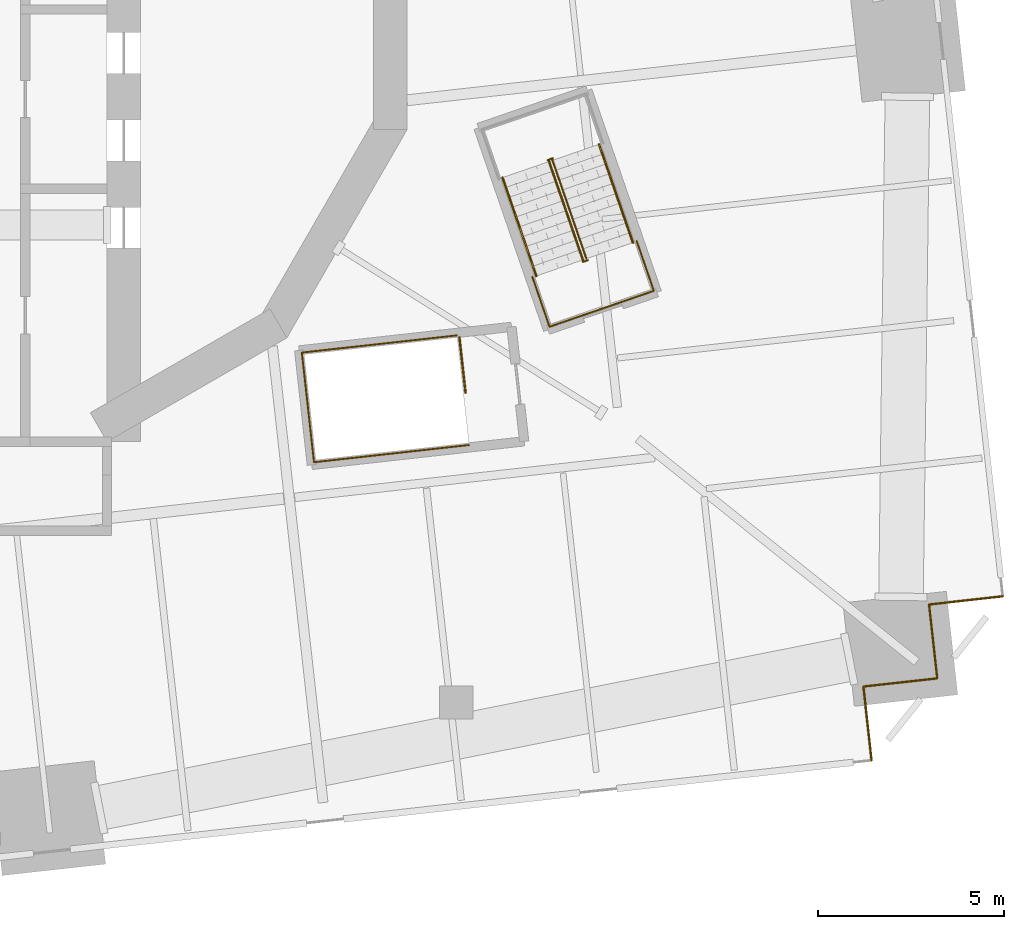
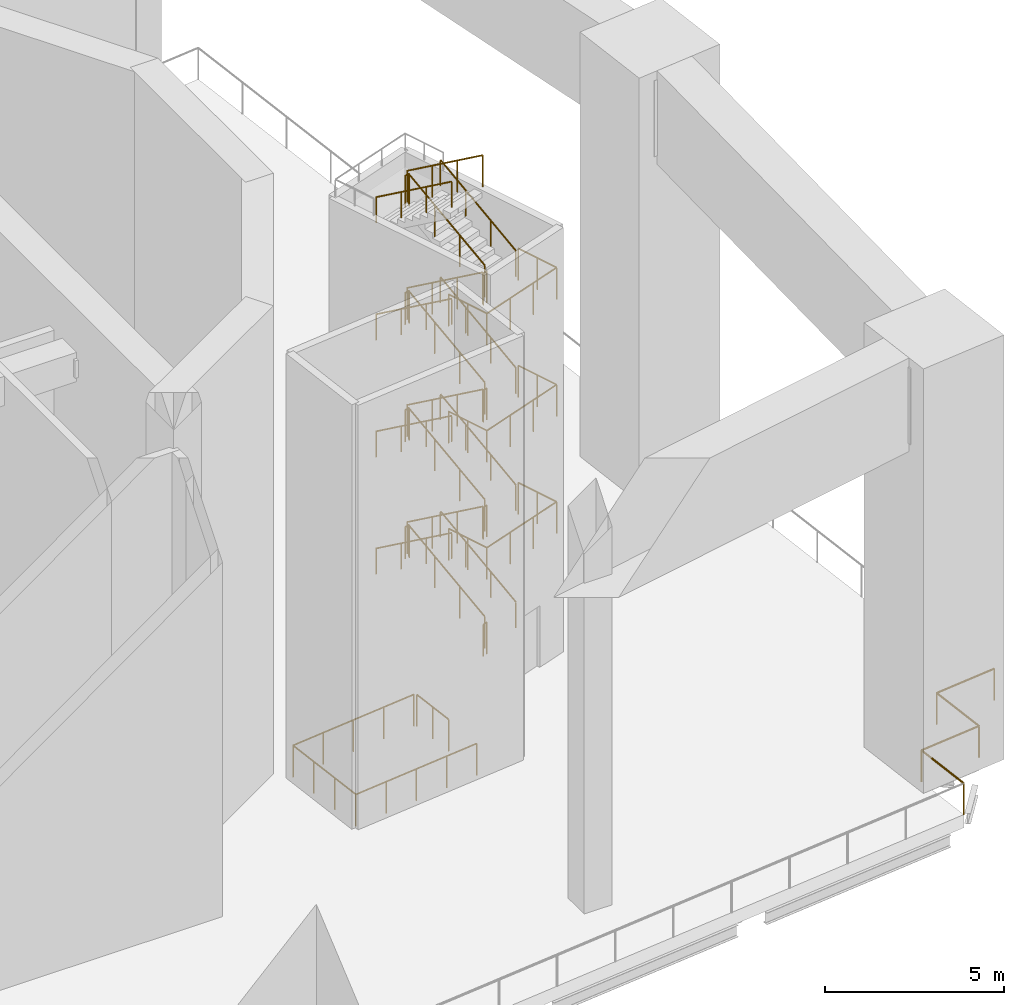
# One storey, part 11 of 13: 26 railings.
"""IFC4 building model written with IfcOpenShell, lengths in metres."""

from ifc_helpers import new_model, si_unit, direction, frame, origin, origin_2d, place, context, subcontext, project, spatial, circle, extrude, material, type_object, element, save


model = new_model("IFC4")

# Units and contexts
model_context = context("Model", 3, precision=1e-05, world=origin(), true_north=direction((0.0, 1.0)))
body_context = subcontext(model_context, "Body", "Model", "MODEL_VIEW")
ifc_project = project(units=[si_unit("LENGTHUNIT", "METRE"), si_unit("AREAUNIT", "SQUARE_METRE"), si_unit("VOLUMEUNIT", "CUBIC_METRE"), si_unit("PLANEANGLEUNIT", "RADIAN"), si_unit("MASSUNIT", "GRAM", prefix="KILO")], contexts=[model_context])

# Site, building, storey
site_placement = place(None, origin())
site = spatial("IfcSite", under=ifc_project, at=site_placement, CompositionType="ELEMENT")
building_placement = place(site_placement, origin())
building = spatial("IfcBuilding", under=site, at=building_placement, Name="Cantera Rosa Tower", CompositionType="ELEMENT")
storey_placement = place(building_placement, frame((0.0, 0.0, 84.300048828125)))
storey = spatial("IfcBuildingStorey", under=building, at=storey_placement, Name="L18", CompositionType="ELEMENT", Elevation=84.300048828125)

# Railings
ifc_material_1 = material(Name="Stainless steel and laminated glass", Category="steel")
railing_type_1 = type_object("IfcRailingType", Name="GUARD 1100", PredefinedType="BALUSTRADE", material=ifc_material_1)
railing_1_placement = place(storey_placement, frame((24.57958984375, -20.2119140625, 0.0)))
element("IfcRailing", 1, at=railing_1_placement, inside=storey, type_object=railing_type_1, Name="PORTAL GUARD L18-16", PredefinedType="BALUSTRADE", context=body_context, shape_type="SweptSolid", body=[
    extrude(circle(Radius=0.030029296875, at=origin_2d()), frame((0.0, 0.0, 1.070068359375), z_axis=(-0.110230552467, 0.993906044505, 0.0), x_axis=(-0.993906044505, -0.110230552467, 0.0)), (0.0, 0.0, 1.0), 2.0),
    extrude(circle(Radius=0.02490234375, at=origin_2d()), origin(), (0.0, 0.0, 1.0), 1.0400390625),
    extrude(circle(Radius=0.02490234375, at=origin_2d()), frame((-0.220458984375, 1.98779296875, 0.0)), (0.0, 0.0, 1.0), 1.0400390625),
])
railing_2_placement = place(storey_placement, frame((24.359130859375, -18.22412109375, 0.0)))
element("IfcRailing", 2, at=railing_2_placement, inside=storey, type_object=railing_type_1, Name="PORTAL GUARD L18-17", PredefinedType="BALUSTRADE", context=body_context, shape_type="SweptSolid", body=[
    extrude(circle(Radius=0.030029296875, at=origin_2d()), frame((0.0, 0.0, 1.070068359375), z_axis=(0.993892663362, 0.110351138256, 0.0), x_axis=(-0.110351138256, 0.993892663362, 0.0)), (0.0, 0.0, 1.0), 2.0),
    extrude(circle(Radius=0.02490234375, at=origin_2d()), origin(), (0.0, 0.0, 1.0), 1.0400390625),
    extrude(circle(Radius=0.02490234375, at=origin_2d()), frame((1.98779296875, 0.220703125, 0.0)), (0.0, 0.0, 1.0), 1.0400390625),
])
railing_3_placement = place(storey_placement, frame((26.346923828125, -18.00341796875, 0.0)))
element("IfcRailing", 3, at=railing_3_placement, inside=storey, type_object=railing_type_1, Name="PORTAL GUARD L18-18", PredefinedType="BALUSTRADE", context=body_context, shape_type="SweptSolid", body=[
    extrude(circle(Radius=0.030029296875, at=origin_2d()), frame((0.0, 0.0, 1.070068359375), z_axis=(-0.110351138256, 0.993892663362, 0.0), x_axis=(-0.993892663362, -0.110351138256, 0.0)), (0.0, 0.0, 1.0), 2.0),
    extrude(circle(Radius=0.02490234375, at=origin_2d()), origin(), (0.0, 0.0, 1.0), 1.0400390625),
    extrude(circle(Radius=0.02490234375, at=origin_2d()), frame((-0.220703125, 1.98779296875, 0.0)), (0.0, 0.0, 1.0), 1.0400390625),
])
railing_4_placement = place(storey_placement, frame((26.126220703125, -16.015625, 0.0)))
element("IfcRailing", 4, at=railing_4_placement, inside=storey, type_object=railing_type_1, Name="PORTAL GUARD L18-19", PredefinedType="BALUSTRADE", context=body_context, shape_type="SweptSolid", body=[
    extrude(circle(Radius=0.030029296875, at=origin_2d()), frame((0.0, 0.0, 1.070068359375), z_axis=(0.993906044505, 0.110230552467, 0.0), x_axis=(-0.110230552467, 0.993906044505, 0.0)), (0.0, 0.0, 1.0), 2.0),
    extrude(circle(Radius=0.02490234375, at=origin_2d()), origin(), (0.0, 0.0, 1.0), 1.0400390625),
    extrude(circle(Radius=0.02490234375, at=origin_2d()), frame((1.98779296875, 0.220458984375, 0.0)), (0.0, 0.0, 1.0), 1.0400390625),
])
ifc_material_2 = material(Name="Steel S355J2 (EN 10025-2)", Category="steel")
railing_type_2 = type_object("IfcRailingType", Name="STAIR GUARD 1100", PredefinedType="GUARDRAIL", material=ifc_material_2)
railing_5_placement = place(storey_placement, frame((13.48388671875, -8.82373046875, 0.0)))
element("IfcRailing", 5, at=railing_5_placement, inside=storey, type_object=railing_type_2, Name="L18 ST-14 top well guard 1", PredefinedType="GUARDRAIL", context=body_context, shape_type="SweptSolid", body=[
    extrude(circle(Radius=0.02392578125, at=origin_2d()), frame((0.0, 0.0, 1.076171875), z_axis=(0.110342213455, -0.993893654236, 0.0), x_axis=(0.993893654236, 0.110342213455, 0.0)), (0.0, 0.0, 1.0), 1.500244140625),
    extrude(circle(Radius=0.02099609375, at=origin_2d()), origin(), (0.0, 0.0, 1.0), 1.052001953125),
    extrude(circle(Radius=0.02099609375, at=origin_2d()), frame((0.082763671875, -0.74560546875, 0.0)), (0.0, 0.0, 1.0), 1.052001953125),
    extrude(circle(Radius=0.02099609375, at=origin_2d()), frame((0.16552734375, -1.490966796875, 0.0)), (0.0, 0.0, 1.0), 1.052001953125),
])
railing_6_placement = place(storey_placement, frame((13.415771484375, -8.77099609375, 0.0)))
element("IfcRailing", 6, at=railing_6_placement, inside=storey, type_object=railing_type_2, Name="L18 ST-14 top well guard 2", PredefinedType="GUARDRAIL", context=body_context, shape_type="SweptSolid", body=[
    extrude(circle(Radius=0.02392578125, at=origin_2d()), frame((0.0, 0.0, 1.076171875), z_axis=(-0.9938957856, -0.110323013767, 0.0), x_axis=(0.110323013767, -0.9938957856, 0.0)), (0.0, 0.0, 1.0), 4.197998046875),
    extrude(circle(Radius=0.02392578125, at=origin_2d()), frame((-4.17236328125, -0.463134765625, 1.076171875), z_axis=(0.110314237986, -0.993896759678, 0.0), x_axis=(0.993896759678, 0.110314237986, 0.0)), (0.0, 0.0, 1.0), 2.969970703125),
    extrude(circle(Radius=0.02392578125, at=origin_2d()), frame((-3.8447265625, -3.4150390625, 1.076171875), z_axis=(0.9938957856, 0.110323013767, 0.0), x_axis=(-0.110323013767, 0.9938957856, 0.0)), (0.0, 0.0, 1.0), 4.197998046875),
    extrude(circle(Radius=0.02099609375, at=origin_2d()), origin(), (0.0, 0.0, 1.0), 1.052001953125),
    extrude(circle(Radius=0.02099609375, at=origin_2d()), frame((-1.04296875, -0.11572265625, 0.0)), (0.0, 0.0, 1.0), 1.052001953125),
    extrude(circle(Radius=0.02099609375, at=origin_2d()), frame((-2.086181640625, -0.2314453125, 0.0)), (0.0, 0.0, 1.0), 1.052001953125),
    extrude(circle(Radius=0.02099609375, at=origin_2d()), frame((-3.12939453125, -0.347412109375, 0.0)), (0.0, 0.0, 1.0), 1.052001953125),
    extrude(circle(Radius=0.02099609375, at=origin_2d()), frame((-4.17236328125, -0.463134765625, 0.0)), (0.0, 0.0, 1.0), 1.052001953125),
    extrude(circle(Radius=0.02099609375, at=origin_2d()), frame((-4.063232421875, -1.447021484375, 0.0)), (0.0, 0.0, 1.0), 1.052001953125),
    extrude(circle(Radius=0.02099609375, at=origin_2d()), frame((-3.953857421875, -2.43115234375, 0.0)), (0.0, 0.0, 1.0), 1.052001953125),
    extrude(circle(Radius=0.02099609375, at=origin_2d()), frame((-3.8447265625, -3.4150390625, 0.0)), (0.0, 0.0, 1.0), 1.052001953125),
    extrude(circle(Radius=0.02099609375, at=origin_2d()), frame((-2.8017578125, -3.29931640625, 0.0)), (0.0, 0.0, 1.0), 1.052001953125),
    extrude(circle(Radius=0.02099609375, at=origin_2d()), frame((-1.758544921875, -3.18359375, 0.0)), (0.0, 0.0, 1.0), 1.052001953125),
    extrude(circle(Radius=0.02099609375, at=origin_2d()), frame((-0.71533203125, -3.067626953125, 0.0)), (0.0, 0.0, 1.0), 1.052001953125),
    extrude(circle(Radius=0.02099609375, at=origin_2d()), frame((0.32763671875, -2.951904296875, 0.0)), (0.0, 0.0, 1.0), 1.052001953125),
])
railing_7_placement = place(storey_placement, frame((16.902099609375, -6.707763671875, 0.181884765625)))
element("IfcRailing", 7, at=railing_7_placement, inside=storey, type_object=railing_type_2, Name="L18 ST-23 stair guard 1", PredefinedType="GUARDRAIL", context=body_context, shape_type="SweptSolid", body=[
    extrude(circle(Radius=0.02392578125, at=origin_2d()), frame((0.0, 0.0, 1.076171875), z_axis=(-0.273062306291, 0.793006869154, 0.544588911342), x_axis=(-0.945515586558, -0.325576835135, 0.0)), (0.0, 0.0, 1.0), 3.338623046875),
    extrude(circle(Radius=0.02392578125, at=origin_2d()), frame((-0.91162109375, 2.6474609375, 2.89404296875), z_axis=(0.147491890402, 0.989063265047, 0.0), x_axis=(-0.989063265047, 0.147491890402, 0.0)), (0.0, 0.0, 1.0), 0.056396484375),
    extrude(circle(Radius=0.02392578125, at=origin_2d()), frame((-0.9033203125, 2.703125, 2.89404296875), z_axis=(-0.945545797087, -0.325489086777, 0.0), x_axis=(0.325489086777, -0.945545797087, 0.0)), (0.0, 0.0, 1.0), 0.14990234375),
    extrude(circle(Radius=0.02099609375, at=origin_2d()), origin(), (0.0, 0.0, 1.0), 1.052001953125),
    extrude(circle(Radius=0.02099609375, at=origin_2d()), frame((-0.303955078125, 0.882568359375, 0.60595703125)), (0.0, 0.0, 1.0), 1.052001953125),
    extrude(circle(Radius=0.02099609375, at=origin_2d()), frame((-0.607666015625, 1.764892578125, 1.212158203125)), (0.0, 0.0, 1.0), 1.052001953125),
    extrude(circle(Radius=0.02099609375, at=origin_2d()), frame((-0.91162109375, 2.6474609375, 1.818115234375)), (0.0, 0.0, 1.0), 1.052001953125),
    extrude(circle(Radius=0.02099609375, at=origin_2d()), frame((-0.9033203125, 2.703125, 1.818115234375)), (0.0, 0.0, 1.0), 1.052001953125),
    extrude(circle(Radius=0.02099609375, at=origin_2d()), frame((-1.045166015625, 2.654296875, 1.818115234375)), (0.0, 0.0, 1.0), 1.052001953125),
])
railing_8_placement = place(storey_placement, frame((15.89794921875, -4.09228515625, 2.181884765625)))
element("IfcRailing", 8, at=railing_8_placement, inside=storey, type_object=railing_type_2, Name="L18 ST-23 stair guard 2", PredefinedType="GUARDRAIL", context=body_context, shape_type="SweptSolid", body=[
    extrude(circle(Radius=0.02392578125, at=origin_2d()), frame((0.0, 0.0, 1.076171875), z_axis=(0.273062306291, -0.793006869154, 0.544588911342), x_axis=(0.945515586558, 0.325576835135, 0.0)), (0.0, 0.0, 1.0), 3.338623046875),
    extrude(circle(Radius=0.02392578125, at=origin_2d()), frame((0.91162109375, -2.6474609375, 2.89404296875), z_axis=(-0.147491890402, -0.989063265047, 0.0), x_axis=(0.989063265047, -0.147491890402, 0.0)), (0.0, 0.0, 1.0), 0.056396484375),
    extrude(circle(Radius=0.02392578125, at=origin_2d()), frame((0.9033203125, -2.703125, 2.89404296875), z_axis=(0.945372981626, 0.325990683319, 0.0), x_axis=(-0.325990683319, 0.945372981626, 0.0)), (0.0, 0.0, 1.0), 0.14990234375),
    extrude(circle(Radius=0.02099609375, at=origin_2d()), origin(), (0.0, 0.0, 1.0), 1.052001953125),
    extrude(circle(Radius=0.02099609375, at=origin_2d()), frame((0.303955078125, -0.882568359375, 0.60595703125)), (0.0, 0.0, 1.0), 1.052001953125),
    extrude(circle(Radius=0.02099609375, at=origin_2d()), frame((0.607666015625, -1.764892578125, 1.212158203125)), (0.0, 0.0, 1.0), 1.052001953125),
    extrude(circle(Radius=0.02099609375, at=origin_2d()), frame((0.91162109375, -2.6474609375, 1.818115234375)), (0.0, 0.0, 1.0), 1.052001953125),
    extrude(circle(Radius=0.02099609375, at=origin_2d()), frame((0.9033203125, -2.703125, 1.818115234375)), (0.0, 0.0, 1.0), 1.052001953125),
    extrude(circle(Radius=0.02099609375, at=origin_2d()), frame((1.044921875, -2.654296875, 1.818115234375)), (0.0, 0.0, 1.0), 1.052001953125),
])
railing_9_placement = place(storey_placement, frame((16.902099609375, -6.707763671875, 4.181884765625)))
element("IfcRailing", 9, at=railing_9_placement, inside=storey, type_object=railing_type_2, Name="L18 ST-23 stair guard 3", PredefinedType="GUARDRAIL", context=body_context, shape_type="SweptSolid", body=[
    extrude(circle(Radius=0.02392578125, at=origin_2d()), frame((0.0, 0.0, 1.076171875), z_axis=(-0.273062306291, 0.793006869154, 0.544588911342), x_axis=(-0.945515586558, -0.325576835135, 0.0)), (0.0, 0.0, 1.0), 3.338623046875),
    extrude(circle(Radius=0.02392578125, at=origin_2d()), frame((-0.91162109375, 2.6474609375, 2.89404296875), z_axis=(0.147491890402, 0.989063265047, 0.0), x_axis=(-0.989063265047, 0.147491890402, 0.0)), (0.0, 0.0, 1.0), 0.056396484375),
    extrude(circle(Radius=0.02392578125, at=origin_2d()), frame((-0.9033203125, 2.703125, 2.89404296875), z_axis=(-0.945545797087, -0.325489086777, 0.0), x_axis=(0.325489086777, -0.945545797087, 0.0)), (0.0, 0.0, 1.0), 0.14990234375),
    extrude(circle(Radius=0.02099609375, at=origin_2d()), origin(), (0.0, 0.0, 1.0), 1.052001953125),
    extrude(circle(Radius=0.02099609375, at=origin_2d()), frame((-0.303955078125, 0.882568359375, 0.60595703125)), (0.0, 0.0, 1.0), 1.052001953125),
    extrude(circle(Radius=0.02099609375, at=origin_2d()), frame((-0.607666015625, 1.764892578125, 1.212158203125)), (0.0, 0.0, 1.0), 1.052001953125),
    extrude(circle(Radius=0.02099609375, at=origin_2d()), frame((-0.91162109375, 2.6474609375, 1.818115234375)), (0.0, 0.0, 1.0), 1.052001953125),
    extrude(circle(Radius=0.02099609375, at=origin_2d()), frame((-0.9033203125, 2.703125, 1.818115234375)), (0.0, 0.0, 1.0), 1.052001953125),
    extrude(circle(Radius=0.02099609375, at=origin_2d()), frame((-1.045166015625, 2.654296875, 1.818115234375)), (0.0, 0.0, 1.0), 1.052001953125),
])
railing_10_placement = place(storey_placement, frame((15.89794921875, -4.09228515625, 6.181884765625)))
element("IfcRailing", 10, at=railing_10_placement, inside=storey, type_object=railing_type_2, Name="L18 ST-23 stair guard 4", PredefinedType="GUARDRAIL", context=body_context, shape_type="SweptSolid", body=[
    extrude(circle(Radius=0.02392578125, at=origin_2d()), frame((0.0, 0.0, 1.076171875), z_axis=(0.273062306291, -0.793006869154, 0.544588911342), x_axis=(0.945515586558, 0.325576835135, 0.0)), (0.0, 0.0, 1.0), 3.338623046875),
    extrude(circle(Radius=0.02392578125, at=origin_2d()), frame((0.91162109375, -2.6474609375, 2.89404296875), z_axis=(-0.147491890402, -0.989063265047, 0.0), x_axis=(0.989063265047, -0.147491890402, 0.0)), (0.0, 0.0, 1.0), 0.056396484375),
    extrude(circle(Radius=0.02392578125, at=origin_2d()), frame((0.9033203125, -2.703125, 2.89404296875), z_axis=(0.945372981626, 0.325990683319, 0.0), x_axis=(-0.325990683319, 0.945372981626, 0.0)), (0.0, 0.0, 1.0), 0.14990234375),
    extrude(circle(Radius=0.02099609375, at=origin_2d()), origin(), (0.0, 0.0, 1.0), 1.052001953125),
    extrude(circle(Radius=0.02099609375, at=origin_2d()), frame((0.303955078125, -0.882568359375, 0.60595703125)), (0.0, 0.0, 1.0), 1.052001953125),
    extrude(circle(Radius=0.02099609375, at=origin_2d()), frame((0.607666015625, -1.764892578125, 1.212158203125)), (0.0, 0.0, 1.0), 1.052001953125),
    extrude(circle(Radius=0.02099609375, at=origin_2d()), frame((0.91162109375, -2.6474609375, 1.818115234375)), (0.0, 0.0, 1.0), 1.052001953125),
    extrude(circle(Radius=0.02099609375, at=origin_2d()), frame((0.9033203125, -2.703125, 1.818115234375)), (0.0, 0.0, 1.0), 1.052001953125),
    extrude(circle(Radius=0.02099609375, at=origin_2d()), frame((1.044921875, -2.654296875, 1.818115234375)), (0.0, 0.0, 1.0), 1.052001953125),
])
railing_11_placement = place(storey_placement, frame((16.902099609375, -6.707763671875, 8.181884765625)))
element("IfcRailing", 11, at=railing_11_placement, inside=storey, type_object=railing_type_2, Name="L18 ST-23 stair guard 5", PredefinedType="GUARDRAIL", context=body_context, shape_type="SweptSolid", body=[
    extrude(circle(Radius=0.02392578125, at=origin_2d()), frame((0.0, 0.0, 1.076171875), z_axis=(-0.273062306291, 0.793006869154, 0.544588911342), x_axis=(-0.945515586558, -0.325576835135, 0.0)), (0.0, 0.0, 1.0), 3.338623046875),
    extrude(circle(Radius=0.02392578125, at=origin_2d()), frame((-0.91162109375, 2.6474609375, 2.89404296875), z_axis=(0.147491890402, 0.989063265047, 0.0), x_axis=(-0.989063265047, 0.147491890402, 0.0)), (0.0, 0.0, 1.0), 0.056396484375),
    extrude(circle(Radius=0.02392578125, at=origin_2d()), frame((-0.9033203125, 2.703125, 2.89404296875), z_axis=(-0.945545797087, -0.325489086777, 0.0), x_axis=(0.325489086777, -0.945545797087, 0.0)), (0.0, 0.0, 1.0), 0.14990234375),
    extrude(circle(Radius=0.02099609375, at=origin_2d()), origin(), (0.0, 0.0, 1.0), 1.052001953125),
    extrude(circle(Radius=0.02099609375, at=origin_2d()), frame((-0.303955078125, 0.882568359375, 0.60595703125)), (0.0, 0.0, 1.0), 1.052001953125),
    extrude(circle(Radius=0.02099609375, at=origin_2d()), frame((-0.607666015625, 1.764892578125, 1.212158203125)), (0.0, 0.0, 1.0), 1.052001953125),
    extrude(circle(Radius=0.02099609375, at=origin_2d()), frame((-0.91162109375, 2.6474609375, 1.818115234375)), (0.0, 0.0, 1.0), 1.052001953125),
    extrude(circle(Radius=0.02099609375, at=origin_2d()), frame((-0.9033203125, 2.703125, 1.818115234375)), (0.0, 0.0, 1.0), 1.052001953125),
    extrude(circle(Radius=0.02099609375, at=origin_2d()), frame((-1.045166015625, 2.654296875, 1.818115234375)), (0.0, 0.0, 1.0), 1.052001953125),
])
railing_12_placement = place(storey_placement, frame((15.89794921875, -4.09228515625, 10.181884765625)))
element("IfcRailing", 12, at=railing_12_placement, inside=storey, type_object=railing_type_2, Name="L18 ST-23 stair guard 6", PredefinedType="GUARDRAIL", context=body_context, shape_type="SweptSolid", body=[
    extrude(circle(Radius=0.02392578125, at=origin_2d()), frame((0.0, 0.0, 1.076171875), z_axis=(0.273062306291, -0.793006869154, 0.544588911342), x_axis=(0.945515586558, 0.325576835135, 0.0)), (0.0, 0.0, 1.0), 3.338623046875),
    extrude(circle(Radius=0.02392578125, at=origin_2d()), frame((0.91162109375, -2.6474609375, 2.89404296875), z_axis=(-0.147491890402, -0.989063265047, 0.0), x_axis=(0.989063265047, -0.147491890402, 0.0)), (0.0, 0.0, 1.0), 0.056396484375),
    extrude(circle(Radius=0.02392578125, at=origin_2d()), frame((0.9033203125, -2.703125, 2.89404296875), z_axis=(0.945372981626, 0.325990683319, 0.0), x_axis=(-0.325990683319, 0.945372981626, 0.0)), (0.0, 0.0, 1.0), 0.14990234375),
    extrude(circle(Radius=0.02099609375, at=origin_2d()), origin(), (0.0, 0.0, 1.0), 1.052001953125),
    extrude(circle(Radius=0.02099609375, at=origin_2d()), frame((0.303955078125, -0.882568359375, 0.60595703125)), (0.0, 0.0, 1.0), 1.052001953125),
    extrude(circle(Radius=0.02099609375, at=origin_2d()), frame((0.607666015625, -1.764892578125, 1.212158203125)), (0.0, 0.0, 1.0), 1.052001953125),
    extrude(circle(Radius=0.02099609375, at=origin_2d()), frame((0.91162109375, -2.6474609375, 1.818115234375)), (0.0, 0.0, 1.0), 1.052001953125),
    extrude(circle(Radius=0.02099609375, at=origin_2d()), frame((0.9033203125, -2.703125, 1.818115234375)), (0.0, 0.0, 1.0), 1.052001953125),
    extrude(circle(Radius=0.02099609375, at=origin_2d()), frame((1.044921875, -2.654296875, 1.818115234375)), (0.0, 0.0, 1.0), 1.052001953125),
])
railing_13_placement = place(storey_placement, frame((16.902099609375, -6.707763671875, 12.181884765625)))
element("IfcRailing", 13, at=railing_13_placement, inside=storey, type_object=railing_type_2, Name="L18 ST-23 stair guard 7", PredefinedType="GUARDRAIL", context=body_context, shape_type="SweptSolid", body=[
    extrude(circle(Radius=0.02392578125, at=origin_2d()), frame((0.0, 0.0, 1.076171875), z_axis=(-0.273062306291, 0.793006869154, 0.544588911342), x_axis=(-0.945515586558, -0.325576835135, 0.0)), (0.0, 0.0, 1.0), 3.338623046875),
    extrude(circle(Radius=0.02392578125, at=origin_2d()), frame((-0.91162109375, 2.6474609375, 2.89404296875), z_axis=(0.147491890402, 0.989063265047, 0.0), x_axis=(-0.989063265047, 0.147491890402, 0.0)), (0.0, 0.0, 1.0), 0.056396484375),
    extrude(circle(Radius=0.02392578125, at=origin_2d()), frame((-0.9033203125, 2.703125, 2.89404296875), z_axis=(-0.945545797087, -0.325489086777, 0.0), x_axis=(0.325489086777, -0.945545797087, 0.0)), (0.0, 0.0, 1.0), 0.14990234375),
    extrude(circle(Radius=0.02099609375, at=origin_2d()), origin(), (0.0, 0.0, 1.0), 1.052001953125),
    extrude(circle(Radius=0.02099609375, at=origin_2d()), frame((-0.303955078125, 0.882568359375, 0.60595703125)), (0.0, 0.0, 1.0), 1.052001953125),
    extrude(circle(Radius=0.02099609375, at=origin_2d()), frame((-0.607666015625, 1.764892578125, 1.212158203125)), (0.0, 0.0, 1.0), 1.052001953125),
    extrude(circle(Radius=0.02099609375, at=origin_2d()), frame((-0.91162109375, 2.6474609375, 1.818115234375)), (0.0, 0.0, 1.0), 1.052001953125),
    extrude(circle(Radius=0.02099609375, at=origin_2d()), frame((-0.9033203125, 2.703125, 1.818115234375)), (0.0, 0.0, 1.0), 1.052001953125),
    extrude(circle(Radius=0.02099609375, at=origin_2d()), frame((-1.045166015625, 2.654296875, 1.818115234375)), (0.0, 0.0, 1.0), 1.052001953125),
])
railing_14_placement = place(storey_placement, frame((15.89794921875, -4.09228515625, 14.181884765625)))
element("IfcRailing", 14, at=railing_14_placement, inside=storey, type_object=railing_type_2, Name="L18 ST-23 stair guard 8", PredefinedType="GUARDRAIL", context=body_context, shape_type="SweptSolid", body=[
    extrude(circle(Radius=0.02392578125, at=origin_2d()), frame((0.0, 0.0, 1.076171875), z_axis=(0.273062306291, -0.793006869154, 0.544588911342), x_axis=(0.945515586558, 0.325576835135, 0.0)), (0.0, 0.0, 1.0), 3.338623046875),
    extrude(circle(Radius=0.02099609375, at=origin_2d()), origin(), (0.0, 0.0, 1.0), 1.052001953125),
    extrude(circle(Radius=0.02099609375, at=origin_2d()), frame((0.303955078125, -0.882568359375, 0.60595703125)), (0.0, 0.0, 1.0), 1.052001953125),
    extrude(circle(Radius=0.02099609375, at=origin_2d()), frame((0.607666015625, -1.764892578125, 1.212158203125)), (0.0, 0.0, 1.0), 1.052001953125),
    extrude(circle(Radius=0.02099609375, at=origin_2d()), frame((0.91162109375, -2.6474609375, 1.818115234375)), (0.0, 0.0, 1.0), 1.052001953125),
])
railing_15_placement = place(storey_placement, frame((16.94287109375, -6.74658203125, 0.0)))
element("IfcRailing", 15, at=railing_15_placement, inside=storey, type_object=railing_type_2, Name="L18 ST-23 stair guard 9", PredefinedType="GUARDRAIL", context=body_context, shape_type="SweptSolid", body=[
    extrude(circle(Radius=0.02392578125, at=origin_2d()), frame((0.0, 0.0, 1.076171875), z_axis=(-0.945372981626, -0.325990683319, 0.0), x_axis=(0.325990683319, -0.945372981626, 0.0)), (0.0, 0.0, 1.0), 0.14990234375),
    extrude(circle(Radius=0.02099609375, at=origin_2d()), origin(), (0.0, 0.0, 1.0), 1.052001953125),
    extrude(circle(Radius=0.02099609375, at=origin_2d()), frame((-0.1416015625, -0.048828125, 0.0)), (0.0, 0.0, 1.0), 1.052001953125),
])
for number, where, name in (
    (16, (18.256103515625, -6.22900390625, 4.0), "L18 ST-23 stair guard 11"),
    (17, (18.256103515625, -6.22900390625, 8.0), "L18 ST-23 stair guard 13"),
    (18, (18.256103515625, -6.22900390625, 12.0), "L18 ST-23 stair guard 15"),
):
    element("IfcRailing", number, at=place(storey_placement, frame(where)), inside=storey, type_object=railing_type_2, Name=name, PredefinedType="GUARDRAIL", context=body_context, shape_type="SweptSolid", body=[
        extrude(circle(Radius=0.02392578125, at=origin_2d()), frame((0.0, 0.0, 1.076171875), z_axis=(0.325535587332, -0.945529788732, 0.0), x_axis=(0.945529788732, 0.325535587332, 0.0)), (0.0, 0.0, 1.0), 1.421875),
        extrude(circle(Radius=0.02392578125, at=origin_2d()), frame((0.462890625, -1.344482421875, 1.076171875), z_axis=(-0.945538830107, -0.325509325152, 0.0), x_axis=(0.325509325152, -0.945538830107, 0.0)), (0.0, 0.0, 1.0), 2.97021484375),
        extrude(circle(Radius=0.02392578125, at=origin_2d()), frame((-2.345458984375, -2.311279296875, 1.076171875), z_axis=(-0.325535587332, 0.945529788732, 0.0), x_axis=(-0.945529788732, -0.325535587332, 0.0)), (0.0, 0.0, 1.0), 1.421875),
        extrude(circle(Radius=0.02099609375, at=origin_2d()), origin(), (0.0, 0.0, 1.0), 1.052001953125),
        extrude(circle(Radius=0.02099609375, at=origin_2d()), frame((0.2314453125, -0.67236328125, 0.0)), (0.0, 0.0, 1.0), 1.052001953125),
        extrude(circle(Radius=0.02099609375, at=origin_2d()), frame((0.462890625, -1.344482421875, 0.0)), (0.0, 0.0, 1.0), 1.052001953125),
        extrude(circle(Radius=0.02099609375, at=origin_2d()), frame((-0.47314453125, -1.666748046875, 0.0)), (0.0, 0.0, 1.0), 1.052001953125),
        extrude(circle(Radius=0.02099609375, at=origin_2d()), frame((-1.409423828125, -1.989013671875, 0.0)), (0.0, 0.0, 1.0), 1.052001953125),
        extrude(circle(Radius=0.02099609375, at=origin_2d()), frame((-2.345458984375, -2.311279296875, 0.0)), (0.0, 0.0, 1.0), 1.052001953125),
        extrude(circle(Radius=0.02099609375, at=origin_2d()), frame((-2.576904296875, -1.63916015625, 0.0)), (0.0, 0.0, 1.0), 1.052001953125),
        extrude(circle(Radius=0.02099609375, at=origin_2d()), frame((-2.808349609375, -0.966796875, 0.0)), (0.0, 0.0, 1.0), 1.052001953125),
    ])
ifc_material_3 = material(Name="Steel S355J2 (EN 10025-2)", Category="steel")
railing_type_3 = type_object("IfcRailingType", Name="STAIR HANDRAIL 900", PredefinedType="HANDRAIL", material=ifc_material_3)
railing_16_placement = place(storey_placement, frame((18.15576171875, -6.276123046875, 0.181884765625)))
element("IfcRailing", 19, at=railing_16_placement, inside=storey, type_object=railing_type_3, Name="L18 ST-23 stair handrail 1", PredefinedType="HANDRAIL", context=body_context, shape_type="SweptSolid", body=[
    extrude(circle(Radius=0.02392578125, at=origin_2d()), frame((0.0, 0.0, 0.8759765625), z_axis=(-0.272994628326, 0.793022702803, 0.544599784929), x_axis=(-0.945542425272, -0.325498881735, 0.0)), (0.0, 0.0, 1.0), 3.33837890625),
    extrude(circle(Radius=0.02099609375, at=origin_2d()), origin(), (0.0, 0.0, 1.0), 0.851806640625),
    extrude(circle(Radius=0.02099609375, at=origin_2d()), frame((-0.3037109375, 0.882568359375, 0.60595703125)), (0.0, 0.0, 1.0), 0.851806640625),
    extrude(circle(Radius=0.02099609375, at=origin_2d()), frame((-0.607666015625, 1.764892578125, 1.212158203125)), (0.0, 0.0, 1.0), 0.851806640625),
    extrude(circle(Radius=0.02099609375, at=origin_2d()), frame((-0.911376953125, 2.6474609375, 1.818115234375)), (0.0, 0.0, 1.0), 0.851806640625),
])
railing_17_placement = place(storey_placement, frame((14.64404296875, -4.52392578125, 2.181884765625)))
element("IfcRailing", 20, at=railing_17_placement, inside=storey, type_object=railing_type_3, Name="L18 ST-23 stair handrail 2", PredefinedType="HANDRAIL", context=body_context, shape_type="SweptSolid", body=[
    extrude(circle(Radius=0.02392578125, at=origin_2d()), frame((0.0, 0.0, 0.8759765625), z_axis=(0.273062306291, -0.793006869154, 0.544588911342), x_axis=(0.945515586558, 0.325576835135, 0.0)), (0.0, 0.0, 1.0), 3.338623046875),
    extrude(circle(Radius=0.02099609375, at=origin_2d()), origin(), (0.0, 0.0, 1.0), 0.851806640625),
    extrude(circle(Radius=0.02099609375, at=origin_2d()), frame((0.303955078125, -0.882568359375, 0.60595703125)), (0.0, 0.0, 1.0), 0.851806640625),
    extrude(circle(Radius=0.02099609375, at=origin_2d()), frame((0.607666015625, -1.764892578125, 1.212158203125)), (0.0, 0.0, 1.0), 0.851806640625),
    extrude(circle(Radius=0.02099609375, at=origin_2d()), frame((0.91162109375, -2.6474609375, 1.818115234375)), (0.0, 0.0, 1.0), 0.851806640625),
])
railing_18_placement = place(storey_placement, frame((18.15576171875, -6.276123046875, 4.181884765625)))
element("IfcRailing", 21, at=railing_18_placement, inside=storey, type_object=railing_type_3, Name="L18 ST-23 stair handrail 3", PredefinedType="HANDRAIL", context=body_context, shape_type="SweptSolid", body=[
    extrude(circle(Radius=0.02392578125, at=origin_2d()), frame((0.0, 0.0, 0.8759765625), z_axis=(-0.272994628326, 0.793022702803, 0.544599784929), x_axis=(-0.945542425272, -0.325498881735, 0.0)), (0.0, 0.0, 1.0), 3.33837890625),
    extrude(circle(Radius=0.02099609375, at=origin_2d()), origin(), (0.0, 0.0, 1.0), 0.851806640625),
    extrude(circle(Radius=0.02099609375, at=origin_2d()), frame((-0.3037109375, 0.882568359375, 0.60595703125)), (0.0, 0.0, 1.0), 0.851806640625),
    extrude(circle(Radius=0.02099609375, at=origin_2d()), frame((-0.607666015625, 1.764892578125, 1.212158203125)), (0.0, 0.0, 1.0), 0.851806640625),
    extrude(circle(Radius=0.02099609375, at=origin_2d()), frame((-0.911376953125, 2.6474609375, 1.818115234375)), (0.0, 0.0, 1.0), 0.851806640625),
])
railing_19_placement = place(storey_placement, frame((14.64404296875, -4.52392578125, 6.181884765625)))
element("IfcRailing", 22, at=railing_19_placement, inside=storey, type_object=railing_type_3, Name="L18 ST-23 stair handrail 4", PredefinedType="HANDRAIL", context=body_context, shape_type="SweptSolid", body=[
    extrude(circle(Radius=0.02392578125, at=origin_2d()), frame((0.0, 0.0, 0.8759765625), z_axis=(0.273062306291, -0.793006869154, 0.544588911342), x_axis=(0.945515586558, 0.325576835135, 0.0)), (0.0, 0.0, 1.0), 3.338623046875),
    extrude(circle(Radius=0.02099609375, at=origin_2d()), origin(), (0.0, 0.0, 1.0), 0.851806640625),
    extrude(circle(Radius=0.02099609375, at=origin_2d()), frame((0.303955078125, -0.882568359375, 0.60595703125)), (0.0, 0.0, 1.0), 0.851806640625),
    extrude(circle(Radius=0.02099609375, at=origin_2d()), frame((0.607666015625, -1.764892578125, 1.212158203125)), (0.0, 0.0, 1.0), 0.851806640625),
    extrude(circle(Radius=0.02099609375, at=origin_2d()), frame((0.91162109375, -2.6474609375, 1.818115234375)), (0.0, 0.0, 1.0), 0.851806640625),
])
railing_20_placement = place(storey_placement, frame((18.15576171875, -6.276123046875, 8.181884765625)))
element("IfcRailing", 23, at=railing_20_placement, inside=storey, type_object=railing_type_3, Name="L18 ST-23 stair handrail 5", PredefinedType="HANDRAIL", context=body_context, shape_type="SweptSolid", body=[
    extrude(circle(Radius=0.02392578125, at=origin_2d()), frame((0.0, 0.0, 0.8759765625), z_axis=(-0.272994628326, 0.793022702803, 0.544599784929), x_axis=(-0.945542425272, -0.325498881735, 0.0)), (0.0, 0.0, 1.0), 3.33837890625),
    extrude(circle(Radius=0.02099609375, at=origin_2d()), origin(), (0.0, 0.0, 1.0), 0.851806640625),
    extrude(circle(Radius=0.02099609375, at=origin_2d()), frame((-0.3037109375, 0.882568359375, 0.60595703125)), (0.0, 0.0, 1.0), 0.851806640625),
    extrude(circle(Radius=0.02099609375, at=origin_2d()), frame((-0.607666015625, 1.764892578125, 1.212158203125)), (0.0, 0.0, 1.0), 0.851806640625),
    extrude(circle(Radius=0.02099609375, at=origin_2d()), frame((-0.911376953125, 2.6474609375, 1.818115234375)), (0.0, 0.0, 1.0), 0.851806640625),
])
railing_21_placement = place(storey_placement, frame((14.64404296875, -4.52392578125, 10.181884765625)))
element("IfcRailing", 24, at=railing_21_placement, inside=storey, type_object=railing_type_3, Name="L18 ST-23 stair handrail 6", PredefinedType="HANDRAIL", context=body_context, shape_type="SweptSolid", body=[
    extrude(circle(Radius=0.02392578125, at=origin_2d()), frame((0.0, 0.0, 0.8759765625), z_axis=(0.273062306291, -0.793006869154, 0.544588911342), x_axis=(0.945515586558, 0.325576835135, 0.0)), (0.0, 0.0, 1.0), 3.338623046875),
    extrude(circle(Radius=0.02099609375, at=origin_2d()), origin(), (0.0, 0.0, 1.0), 0.851806640625),
    extrude(circle(Radius=0.02099609375, at=origin_2d()), frame((0.303955078125, -0.882568359375, 0.60595703125)), (0.0, 0.0, 1.0), 0.851806640625),
    extrude(circle(Radius=0.02099609375, at=origin_2d()), frame((0.607666015625, -1.764892578125, 1.212158203125)), (0.0, 0.0, 1.0), 0.851806640625),
    extrude(circle(Radius=0.02099609375, at=origin_2d()), frame((0.91162109375, -2.6474609375, 1.818115234375)), (0.0, 0.0, 1.0), 0.851806640625),
])
railing_22_placement = place(storey_placement, frame((18.15576171875, -6.276123046875, 12.181884765625)))
element("IfcRailing", 25, at=railing_22_placement, inside=storey, type_object=railing_type_3, Name="L18 ST-23 stair handrail 7", PredefinedType="HANDRAIL", context=body_context, shape_type="SweptSolid", body=[
    extrude(circle(Radius=0.02392578125, at=origin_2d()), frame((0.0, 0.0, 0.8759765625), z_axis=(-0.272994628326, 0.793022702803, 0.544599784929), x_axis=(-0.945542425272, -0.325498881735, 0.0)), (0.0, 0.0, 1.0), 3.33837890625),
    extrude(circle(Radius=0.02099609375, at=origin_2d()), origin(), (0.0, 0.0, 1.0), 0.851806640625),
    extrude(circle(Radius=0.02099609375, at=origin_2d()), frame((-0.3037109375, 0.882568359375, 0.60595703125)), (0.0, 0.0, 1.0), 0.851806640625),
    extrude(circle(Radius=0.02099609375, at=origin_2d()), frame((-0.607666015625, 1.764892578125, 1.212158203125)), (0.0, 0.0, 1.0), 0.851806640625),
    extrude(circle(Radius=0.02099609375, at=origin_2d()), frame((-0.911376953125, 2.6474609375, 1.818115234375)), (0.0, 0.0, 1.0), 0.851806640625),
])
railing_23_placement = place(storey_placement, frame((14.64404296875, -4.52392578125, 14.181884765625)))
element("IfcRailing", 26, at=railing_23_placement, inside=storey, type_object=railing_type_3, Name="L18 ST-23 stair handrail 8", PredefinedType="HANDRAIL", context=body_context, shape_type="SweptSolid", body=[
    extrude(circle(Radius=0.02392578125, at=origin_2d()), frame((0.0, 0.0, 0.8759765625), z_axis=(0.273062306291, -0.793006869154, 0.544588911342), x_axis=(0.945515586558, 0.325576835135, 0.0)), (0.0, 0.0, 1.0), 3.338623046875),
    extrude(circle(Radius=0.02099609375, at=origin_2d()), origin(), (0.0, 0.0, 1.0), 0.851806640625),
    extrude(circle(Radius=0.02099609375, at=origin_2d()), frame((0.303955078125, -0.882568359375, 0.60595703125)), (0.0, 0.0, 1.0), 0.851806640625),
    extrude(circle(Radius=0.02099609375, at=origin_2d()), frame((0.607666015625, -1.764892578125, 1.212158203125)), (0.0, 0.0, 1.0), 0.851806640625),
    extrude(circle(Radius=0.02099609375, at=origin_2d()), frame((0.91162109375, -2.6474609375, 1.818115234375)), (0.0, 0.0, 1.0), 0.851806640625),
])

save(model, "model.ifc")
